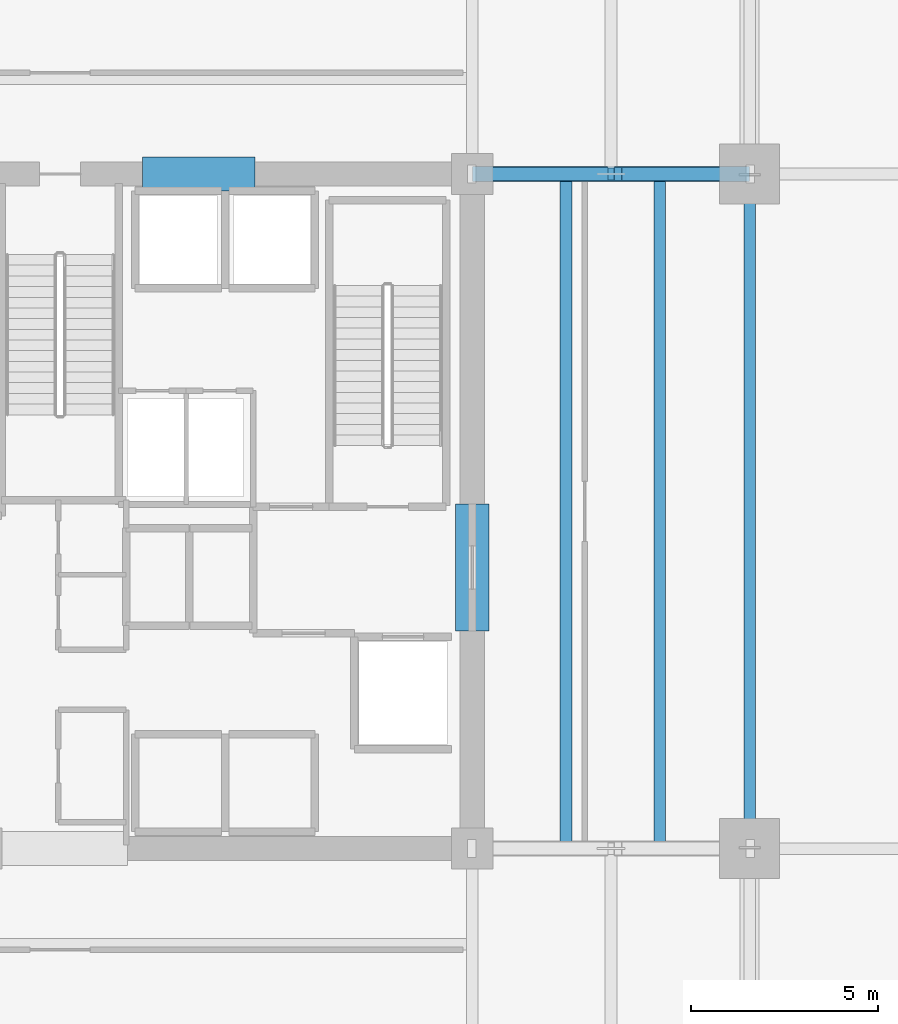
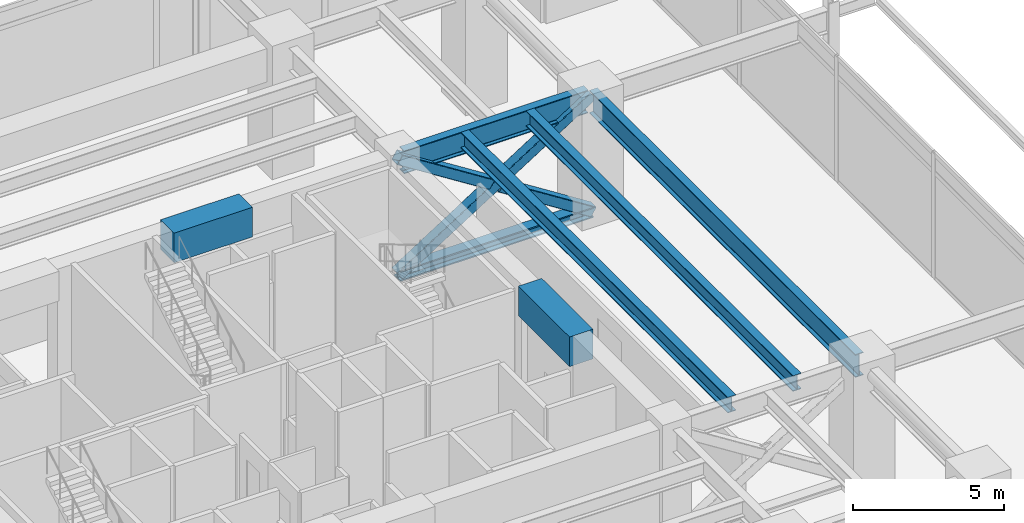
# One storey, part 12 of 26: 6 beams, 4 members.
"""IFC4 building model written with IfcOpenShell, lengths in metres."""

from ifc_helpers import new_model, si_unit, direction, frame, origin, origin_2d, place, context, subcontext, project, spatial, rectangle, hollow_rectangle, i_section, extrude, material, material_profile, profile_set, type_object, element, save


model = new_model("IFC4")

# Units and contexts
model_context = context("Model", 3, precision=1e-05, world=origin(), true_north=direction((0.0, 1.0)))
body_context = subcontext(model_context, "Body", "Model", "MODEL_VIEW")
ifc_project = project(units=[si_unit("LENGTHUNIT", "METRE"), si_unit("AREAUNIT", "SQUARE_METRE"), si_unit("VOLUMEUNIT", "CUBIC_METRE"), si_unit("PLANEANGLEUNIT", "RADIAN"), si_unit("MASSUNIT", "GRAM", prefix="KILO")], contexts=[model_context])

# Site, building, storey
site_placement = place(None, origin())
site = spatial("IfcSite", under=ifc_project, at=site_placement, CompositionType="ELEMENT")
building_placement = place(site_placement, origin())
building = spatial("IfcBuilding", under=site, at=building_placement, Name="Kovane Verandah Tower", CompositionType="ELEMENT")
storey_placement = place(building_placement, frame((0.0, 0.0, 113.0)))
storey = spatial("IfcBuildingStorey", under=building, at=storey_placement, Name="L26", CompositionType="ELEMENT", Elevation=113.0)

# Beams
ifc_material_1 = material(Name="Concrete C80/95", Category="concrete")
ifc_material_profile_1 = material_profile(ifc_material_1, rectangle(XDim=0.89990234375, YDim=1.199951171875, at=origin_2d()), Name="RCB900x1200")
ifc_profile_set_1 = profile_set([ifc_material_profile_1], Name="Concrete C80/95")
beam_type_1 = type_object("IfcBeamType", Name="BM-LINTEL-900x1200", PredefinedType="LINTEL", material=ifc_profile_set_1)
beam_1_placement = place(storey_placement, frame((42.199951171875, 36.5, 4.5), z_axis=(1.0, 0.0, 0.0), x_axis=(0.0, 1.0, 0.0)))
element("IfcBeam", 1, at=beam_1_placement, inside=storey, type_object=beam_type_1, Name="L26 Core Coupling Lintel CL-N2", PredefinedType="LINTEL", context=body_context, shape_type="SweptSolid", body=[
    extrude(rectangle(XDim=0.89990234375, YDim=1.199951171875, at=origin_2d()), origin(), (0.0, 0.0, 1.0), 3.0),
])
beam_2_placement = place(storey_placement, frame((51.0, 24.300048828125, 4.5), z_axis=(0.0, 1.0, 0.0), x_axis=(-1.0, 0.0, 0.0)))
element("IfcBeam", 2, at=beam_2_placement, inside=storey, type_object=beam_type_1, Name="L26 Core Coupling Lintel CL-E", PredefinedType="LINTEL", context=body_context, shape_type="SweptSolid", body=[
    extrude(rectangle(XDim=0.89990234375, YDim=1.199951171875, at=origin_2d()), origin(), (0.0, 0.0, 1.0), 3.39990234375),
])
ifc_material_2 = material(Name="Steel S460", Category="steel")
ifc_material_profile_2 = material_profile(ifc_material_2, i_section(OverallWidth=0.311279296875, OverallDepth=0.6357421875, WebThickness=0.018310546875, FlangeThickness=0.031494140625, FilletRadius=0.0166015625, at=origin_2d()), Name="UB610x305x238")
ifc_profile_set_2 = profile_set([ifc_material_profile_2], Name="Steel S460")
beam_type_2 = type_object("IfcBeamType", Name="BM-UB610x238", PredefinedType="BEAM", material=ifc_profile_set_2)
for number, where, z_axis, x_axis, name in (
    (3, (53.5, 18.65185546875, 4.781982421875), (0.0, 1.0, 0.0), (-1.0, 0.0, 0.0), "L26 Secondary Composite Joist J-E1"),
    (4, (56.0, 18.65185546875, 4.781982421875), (0.0, 1.0, 0.0), (-1.0, 0.0, 0.0), "L26 Secondary Composite Joist J-E2"),
):
    element("IfcBeam", number, at=place(storey_placement, frame(where, z_axis=z_axis, x_axis=x_axis)), inside=storey, type_object=beam_type_2, Name=name, PredefinedType="BEAM", context=body_context, shape_type="SweptSolid", body=[
        extrude(i_section(OverallWidth=0.311279296875, OverallDepth=0.6357421875, WebThickness=0.018310546875, FlangeThickness=0.031494140625, FilletRadius=0.0166015625, at=origin_2d()), origin(), (0.0, 0.0, 1.0), 17.6962890625),
    ])
ifc_material_profile_3 = material_profile(ifc_material_2, i_section(OverallWidth=0.3076171875, OverallDepth=0.926513671875, WebThickness=0.01953125, FlangeThickness=0.031982421875, FilletRadius=0.01904296875, at=origin_2d()), Name="UB914x305x289")
ifc_profile_set_3 = profile_set([ifc_material_profile_3], Name="Steel S460")
beam_type_3 = type_object("IfcBeamType", Name="BM-UB914x289", PredefinedType="BEAM", material=ifc_profile_set_3)
beam_3_placement = place(storey_placement, frame((58.39990234375, 18.679931640625, 4.63671875), z_axis=(0.0, 1.0, 0.0), x_axis=(-1.0, 0.0, 0.0)))
element("IfcBeam", 5, at=beam_3_placement, inside=storey, type_object=beam_type_3, Name="L26 Primary Tower Girder G-RE2", PredefinedType="BEAM", context=body_context, shape_type="SweptSolid", body=[
    extrude(i_section(OverallWidth=0.3076171875, OverallDepth=0.926513671875, WebThickness=0.01953125, FlangeThickness=0.031982421875, FilletRadius=0.01904296875, at=origin_2d()), origin(), (0.0, 0.0, 1.0), 17.64013671875),
])
beam_4_placement = place(storey_placement, frame((51.179931640625, 36.5, 4.63671875), z_axis=(1.0, 0.0, 0.0), x_axis=(0.0, 1.0, 0.0)))
element("IfcBeam", 6, at=beam_4_placement, inside=storey, type_object=beam_type_3, Name="L26 Primary Tower Girder G-E2", PredefinedType="BEAM", context=body_context, shape_type="SweptSolid", body=[
    extrude(i_section(OverallWidth=0.3076171875, OverallDepth=0.926513671875, WebThickness=0.01953125, FlangeThickness=0.031982421875, FilletRadius=0.01904296875, at=origin_2d()), origin(), (0.0, 0.0, 1.0), 7.0400390625),
])

# Members
ifc_material_profile_4 = material_profile(ifc_material_2, hollow_rectangle(XDim=0.39990234375, YDim=0.39990234375, WallThickness=0.02001953125, InnerFilletRadius=0.02001953125, OuterFilletRadius=0.0400390625, at=origin_2d()), Name="SHS400x400x20")
ifc_profile_set_4 = profile_set([ifc_material_profile_4], Name="Steel S460")
member_type_1 = type_object("IfcMemberType", Name="MEM-BR-SHS400", PredefinedType="BRACE", material=ifc_profile_set_4)
member_1_placement = place(storey_placement, frame((51.0, 36.5, 0.1201171875), z_axis=(0.844130190712, 0.0, 0.536138248149), x_axis=(0.0, 1.0, 0.0)))
element("IfcMember", 7, at=member_1_placement, inside=storey, type_object=member_type_1, Name="L26 Outrigger Continuous Diagonal OE2", PredefinedType="BRACE", context=body_context, shape_type="SweptSolid", body=[
    extrude(hollow_rectangle(XDim=0.39990234375, YDim=0.39990234375, WallThickness=0.02001953125, InnerFilletRadius=0.02001953125, OuterFilletRadius=0.0400390625, at=origin_2d()), origin(), (0.0, 0.0, 1.0), 8.766357421875),
])
member_2_placement = place(storey_placement, frame((58.39990234375, 36.5, 0.1201171875), z_axis=(-0.844134458602, 0.0, 0.536131528452), x_axis=(0.0, -1.0, 0.0)))
element("IfcMember", 8, at=member_2_placement, inside=storey, type_object=member_type_1, Name="L26 Outrigger Split Diagonal Lower OE2", PredefinedType="BRACE", context=body_context, shape_type="SweptSolid", body=[
    extrude(hollow_rectangle(XDim=0.39990234375, YDim=0.39990234375, WallThickness=0.02001953125, InnerFilletRadius=0.02001953125, OuterFilletRadius=0.0400390625, at=origin_2d()), origin(), (0.0, 0.0, 1.0), 4.1630859375),
])
member_3_placement = place(storey_placement, frame((54.514404296875, 36.5, 2.587890625), z_axis=(-0.844124775214, 0.0, 0.536146774559), x_axis=(0.0, -1.0, 0.0)))
element("IfcMember", 9, at=member_3_placement, inside=storey, type_object=member_type_1, Name="L26 Outrigger Split Diagonal Upper OE2", PredefinedType="BRACE", context=body_context, shape_type="SweptSolid", body=[
    extrude(hollow_rectangle(XDim=0.39990234375, YDim=0.39990234375, WallThickness=0.02001953125, InnerFilletRadius=0.02001953125, OuterFilletRadius=0.0400390625, at=origin_2d()), origin(), (0.0, 0.0, 1.0), 4.163330078125),
])
ifc_material_profile_5 = material_profile(ifc_material_2, i_section(OverallWidth=0.406982421875, OverallDepth=0.4189453125, WebThickness=0.030517578125, FlangeThickness=0.04931640625, FilletRadius=0.01513671875, at=origin_2d()), Name="UC356x406x393")
ifc_profile_set_5 = profile_set([ifc_material_profile_5], Name="Steel S460")
member_type_2 = type_object("IfcMemberType", Name="MEM-CHORD-UC393", PredefinedType="CHORD", material=ifc_profile_set_5)
member_4_placement = place(storey_placement, frame((51.0, 36.5, 0.1201171875), z_axis=(1.0, 0.0, 0.0), x_axis=(0.0, 1.0, 0.0)))
element("IfcMember", 10, at=member_4_placement, inside=storey, type_object=member_type_2, Name="L26 Outrigger Bottom Chord OE2", PredefinedType="CHORD", context=body_context, shape_type="SweptSolid", body=[
    extrude(i_section(OverallWidth=0.406982421875, OverallDepth=0.4189453125, WebThickness=0.030517578125, FlangeThickness=0.04931640625, FilletRadius=0.01513671875, at=origin_2d()), origin(), (0.0, 0.0, 1.0), 7.39990234375),
])

save(model, "model.ifc")
